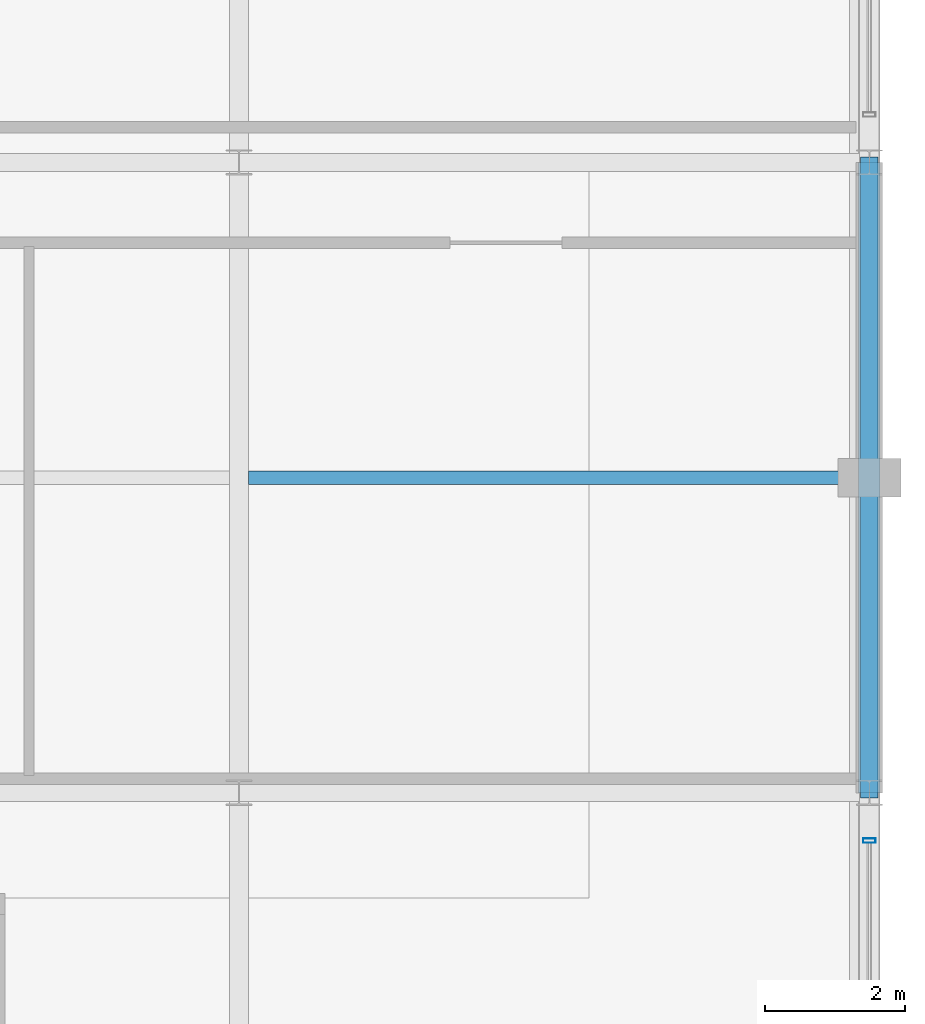
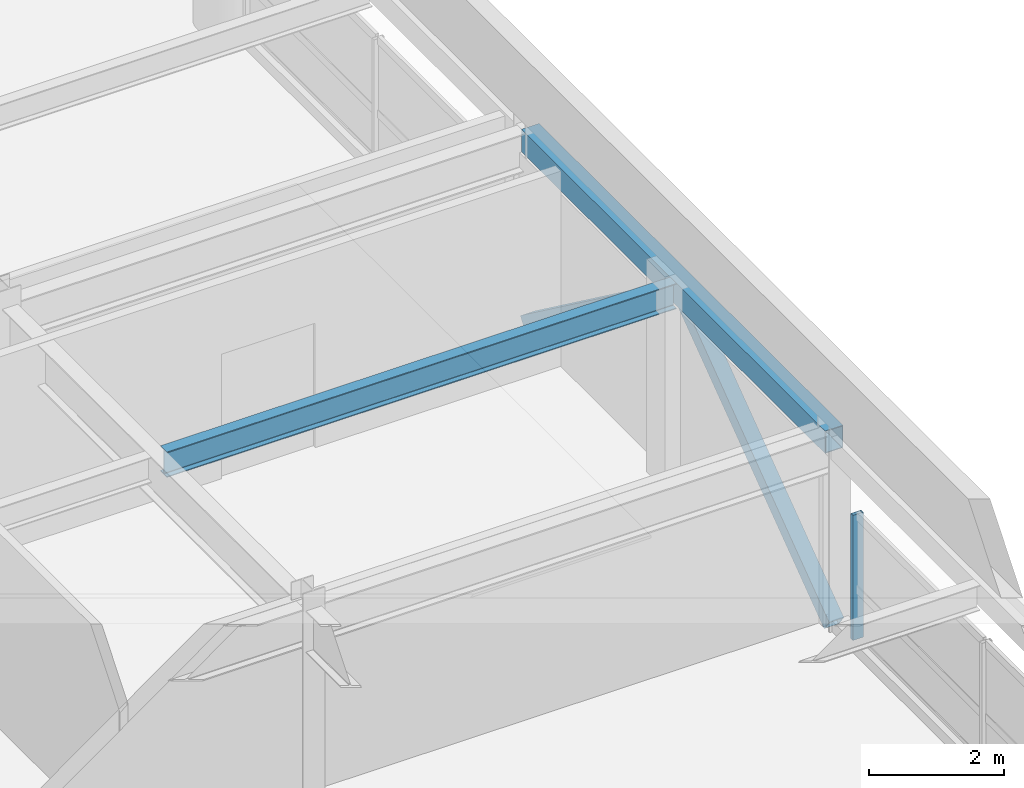
# One storey, part 54 of 108: 3 members, 2 beams, 1 element without a shape of its own.
"""IFC4 building model written with IfcOpenShell, lengths in metres."""

from ifc_helpers import new_model, si_unit, direction, frame, origin, origin_2d, place, context, subcontext, project, spatial, hollow_rectangle, i_section, extrude, material, material_profile, profile_set, type_object, element, aggregate, save


model = new_model("IFC4")

# Units and contexts
model_context = context("Model", 3, precision=1e-05, world=origin(), true_north=direction((0.0, 1.0)))
body_context = subcontext(model_context, "Body", "Model", "MODEL_VIEW")
ifc_project = project(units=[si_unit("LENGTHUNIT", "METRE"), si_unit("AREAUNIT", "SQUARE_METRE"), si_unit("VOLUMEUNIT", "CUBIC_METRE"), si_unit("PLANEANGLEUNIT", "RADIAN"), si_unit("MASSUNIT", "GRAM", prefix="KILO")], contexts=[model_context])

# Site, building, storey
site_placement = place(None, origin())
site = spatial("IfcSite", under=ifc_project, at=site_placement, CompositionType="ELEMENT")
building_placement = place(site_placement, origin())
building = spatial("IfcBuilding", under=site, at=building_placement, Name="Kaldorvane Square Convention Centre", CompositionType="ELEMENT")
storey_placement = place(building_placement, frame((0.0, 0.0, 23.399993896484375)))
storey = spatial("IfcBuildingStorey", under=building, at=storey_placement, Name="L04", CompositionType="ELEMENT", Elevation=23.399993896484375)

# Beams
ifc_material_1 = material(Name="Steel ASTM A992 Gr. 50", Category="steel")
ifc_material_profile_1 = material_profile(ifc_material_1, i_section(OverallWidth=0.1912994384765625, OverallDepth=0.4600067138671875, WebThickness=0.0099029541015625, FlangeThickness=0.0160064697265625, FilletRadius=0.01019287109375, at=origin_2d()), Name="W18X55")
ifc_profile_set_1 = profile_set([ifc_material_profile_1], Name="Steel ASTM A992 Gr. 50")
beam_type_1 = type_object("IfcBeamType", Name="BM-JS-W18X55", PredefinedType="JOIST", material=ifc_profile_set_1)
beam_1_placement = place(storey_placement, frame((165.13330078125, 13.5, 3.2960052490234375), z_axis=(1.0, 0.0, 0.0), x_axis=(0.0, 1.0, 0.0)))
element("IfcBeam", 1, at=beam_1_placement, inside=storey, type_object=beam_type_1, Name="Secondary Floor Joist (L04)", PredefinedType="JOIST", context=body_context, shape_type="SweptSolid", body=[
    extrude(i_section(OverallWidth=0.1912994384765625, OverallDepth=0.4600067138671875, WebThickness=0.0099029541015625, FlangeThickness=0.0160064697265625, FilletRadius=0.01019287109375, at=origin_2d()), origin(), (0.0, 0.0, 1.0), 8.71429443359375),
])
ifc_material_2 = material(Name="Steel ASTM A500 Gr. C", Category="steel")
ifc_material_profile_2 = material_profile(ifc_material_2, hollow_rectangle(XDim=0.3047943115234375, YDim=0.406402587890625, WallThickness=0.0117950439453125, at=origin_2d()), Name="HSS16X12X1/2")
ifc_profile_set_2 = profile_set([ifc_material_profile_2], Name="Steel ASTM A500 Gr. C")
beam_type_2 = type_object("IfcBeamType", Name="BM-SP-HSS16", PredefinedType="SPANDREL", material=ifc_profile_set_2)
beam_2_placement = place(storey_placement, frame((174.0, 9.0, 3.3227996826171875), z_axis=(0.0, 1.0, 0.0), x_axis=(-1.0, 0.0, 0.0)))
element("IfcBeam", 2, at=beam_2_placement, inside=storey, type_object=beam_type_2, Name="End Spandrel (L04)", PredefinedType="SPANDREL", context=body_context, shape_type="SweptSolid", body=[
    extrude(hollow_rectangle(XDim=0.3047943115234375, YDim=0.406402587890625, WallThickness=0.0117950439453125, at=origin_2d()), origin(), (0.0, 0.0, 1.0), 9.0),
])

# Curtain wall, member
ifc_material_3 = material(Name="Anodized Aluminum and Low-E Insulated Glazing", Category="aluminium")
curtain_wall_type = type_object("IfcCurtainWallType", Name="CW-UNI-P42-09", PredefinedType="USERDEFINED", material=ifc_material_3)
curtain_wall_placement = place(storey_placement, origin())
curtain_wall = element("IfcCurtainWall", 3, at=curtain_wall_placement, inside=storey, type_object=curtain_wall_type, Name="Curtain Wall CW-06 (L04)", ObjectType="UNITISED GLAZING", PredefinedType="USERDEFINED")
ifc_material_profile_3 = material_profile(ifc_material_3, hollow_rectangle(XDim=0.06500244140625, YDim=0.17999267578125, WallThickness=0.0034942626953125, at=origin_2d()), Name="CWM-180X65")
ifc_profile_set_3 = profile_set([ifc_material_profile_3], Name="Anodized Aluminum and Low-E Insulated Glazing")
member_type_1 = type_object("IfcMemberType", Name="CW-MUL-180", PredefinedType="MULLION", material=ifc_profile_set_3)
member_placement = place(storey_placement, frame((174.0, 8.3175048828125, 0.1500091552734375), z_axis=(0.0, 0.0, 1.0), x_axis=(0.0, 1.0, 0.0)))
member = element("IfcMember", 4, at=member_placement, type_object=member_type_1, Name="CW-06 mullion 3", PredefinedType="MULLION", context=body_context, shape_type="SweptSolid", body=[
    extrude(hollow_rectangle(XDim=0.06500244140625, YDim=0.17999267578125, WallThickness=0.0034942626953125, at=origin_2d()), origin(), (0.0, 0.0, 1.0), 2.2599945068359375),
])
aggregate(curtain_wall, [member])

# Members
ifc_material_profile_4 = material_profile(ifc_material_2, hollow_rectangle(XDim=0.253997802734375, YDim=0.253997802734375, WallThickness=0.0117950439453125, at=origin_2d()), Name="HSS10X10X1/2")
ifc_profile_set_4 = profile_set([ifc_material_profile_4], Name="Steel ASTM A500 Gr. C")
member_type_2 = type_object("IfcMemberType", Name="MB-BR-HSS10", PredefinedType="BRACE", material=ifc_profile_set_4)
for number, where, z_axis, x_axis, name in (
    (5, (174.0, 9.0, 0.0), (0.0, 0.804456950309, 0.59401095537), (-1.0, 0.0, 0.0), "Seismic Chevron Brace X174-B1A (L04)"),
    (6, (174.0, 18.0, 0.0), (0.0, -0.804456950309, 0.59401095537), (1.0, 0.0, 0.0), "Seismic Chevron Brace X174-B1B (L04)"),
):
    element("IfcMember", number, at=place(storey_placement, frame(where, z_axis=z_axis, x_axis=x_axis)), inside=storey, type_object=member_type_2, Name=name, PredefinedType="BRACE", context=body_context, shape_type="SweptSolid", body=[
        extrude(hollow_rectangle(XDim=0.253997802734375, YDim=0.253997802734375, WallThickness=0.0117950439453125, at=origin_2d()), origin(), (0.0, 0.0, 1.0), 5.593841552734375),
    ])

save(model, "model.ifc")
